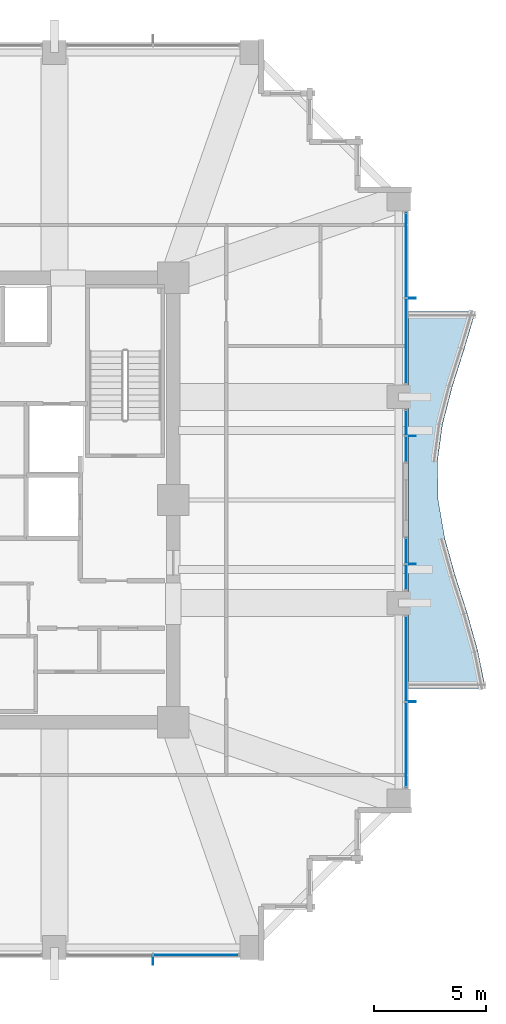
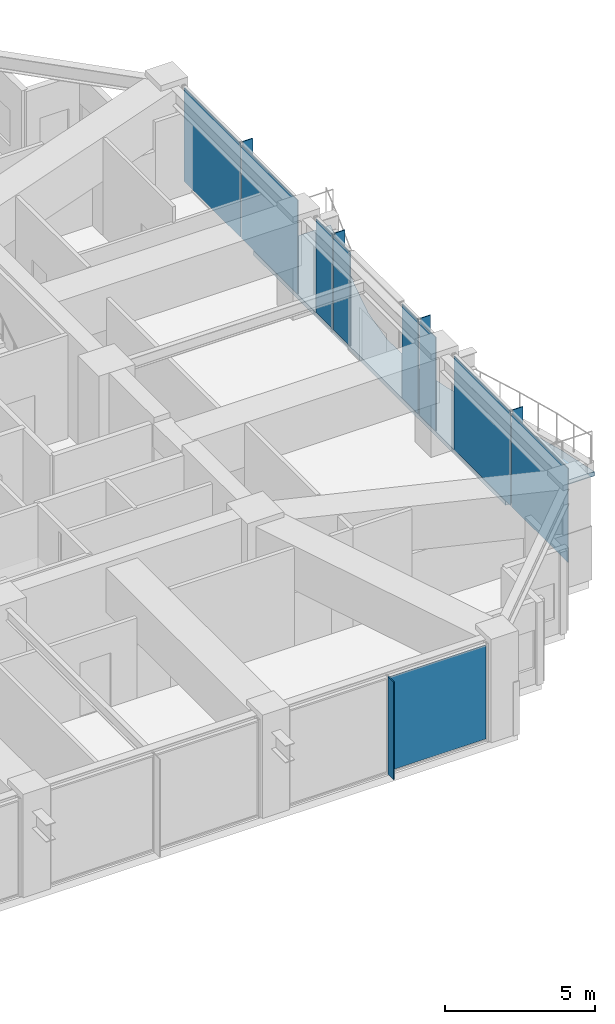
# One storey, part 31 of 40: 14 plates, 1 slab, 5 elements without a shape of their own.
"""IFC4 building model written with IfcOpenShell, lengths in metres."""

from ifc_helpers import new_model, si_unit, direction, frame, origin, origin_2d, place, context, subcontext, project, spatial, polyline, rectangle, outline, extrude, material, layer, layer_set, type_object, element, aggregate, save


model = new_model("IFC4")

# Units and contexts
model_context = context("Model", 3, precision=1e-05, world=origin(), true_north=direction((0.0, 1.0)))
body_context = subcontext(model_context, "Body", "Model", "MODEL_VIEW")
ifc_project = project(units=[si_unit("LENGTHUNIT", "METRE"), si_unit("AREAUNIT", "SQUARE_METRE"), si_unit("VOLUMEUNIT", "CUBIC_METRE"), si_unit("PLANEANGLEUNIT", "RADIAN"), si_unit("MASSUNIT", "GRAM", prefix="KILO")], contexts=[model_context])

# Site, building, storey
site_placement = place(None, origin())
site = spatial("IfcSite", under=ifc_project, at=site_placement, CompositionType="ELEMENT")
building_placement = place(site_placement, origin())
building = spatial("IfcBuilding", under=site, at=building_placement, Name="Kolvaren Belvedere", CompositionType="ELEMENT")
storey_placement = place(building_placement, frame((0.0, 0.0, 68.0)))
storey = spatial("IfcBuildingStorey", under=building, at=storey_placement, Name="L19", CompositionType="ELEMENT", Elevation=68.0)

# Curtain wall, plate
ifc_material_1 = material(Name="Anodised pale-metal aluminium AA 6063-T6", Category="aluminium")
curtain_wall_type = type_object("IfcCurtainWallType", Name="CW-Z2-MID", PredefinedType="NOTDEFINED", material=ifc_material_1)
curtain_wall_1_placement = place(storey_placement, origin())
curtain_wall_1 = element("IfcCurtainWall", 1, at=curtain_wall_1_placement, inside=storey, type_object=curtain_wall_type, Name="L19 Unitised Curtain Wall FCW-L19-S-B1", PredefinedType="NOTDEFINED")
ifc_material_2 = material(Name="Low-iron triple insulated glass", Category="glass")
ifc_layer_1 = layer(ifc_material_2, 0.028076171875)
ifc_layer_set_1 = layer_set([ifc_layer_1], Name="Low-iron triple insulated glass")
plate_type_1 = type_object("IfcPlateType", Name="CW-PNL-VIS28", PredefinedType="CURTAIN_PANEL", material=ifc_layer_set_1)
plate_1_placement = place(storey_placement, frame((10.9111328125, -20.280029296875, 0.080078125), z_axis=(0.0, 0.0, 1.0), x_axis=(-1.0, 0.0, 0.0)))
plate_1 = element("IfcPlate", 2, at=plate_1_placement, type_object=plate_type_1, Name="FCW-L19-S-B1 Vision Glazing Panel 1", PredefinedType="CURTAIN_PANEL", context=body_context, shape_type="SweptSolid", body=[
    extrude(rectangle(XDim=3.742431640625, YDim=0.028076171875, at=origin_2d()), origin(), (0.0, 0.0, 1.0), 3.820068359375),
])
aggregate(curtain_wall_1, [plate_1])

# Curtain wall, plates
curtain_wall_2_placement = place(storey_placement, origin())
curtain_wall_2 = element("IfcCurtainWall", 3, at=curtain_wall_2_placement, inside=storey, type_object=curtain_wall_type, Name="L19 Unitised Curtain Wall FCW-L19-E1-B1", PredefinedType="NOTDEFINED")
plate_2_placement = place(storey_placement, frame((20.280029296875, 10.9111328125, 0.080078125), z_axis=(0.0, 0.0, 1.0), x_axis=(0.0, -1.0, 0.0)))
plate_2 = element("IfcPlate", 4, at=plate_2_placement, type_object=plate_type_1, Name="FCW-L19-E1-B1 Vision Glazing Panel 1", PredefinedType="CURTAIN_PANEL", context=body_context, shape_type="SweptSolid", body=[
    extrude(rectangle(XDim=3.742431640625, YDim=0.028076171875, at=origin_2d()), origin(), (0.0, 0.0, 1.0), 3.820068359375),
])
plate_3_placement = place(storey_placement, frame((20.280029296875, 7.0888671875, 0.080078125), z_axis=(0.0, 0.0, 1.0), x_axis=(0.0, -1.0, 0.0)))
plate_3 = element("IfcPlate", 5, at=plate_3_placement, type_object=plate_type_1, Name="FCW-L19-E1-B1 Vision Glazing Panel 2", PredefinedType="CURTAIN_PANEL", context=body_context, shape_type="SweptSolid", body=[
    extrude(rectangle(XDim=3.742431640625, YDim=0.028076171875, at=origin_2d()), origin(), (0.0, 0.0, 1.0), 3.820068359375),
])
aggregate(curtain_wall_2, [plate_2, plate_3])

curtain_wall_3_placement = place(storey_placement, origin())
curtain_wall_3 = element("IfcCurtainWall", 6, at=curtain_wall_3_placement, inside=storey, type_object=curtain_wall_type, Name="L19 Unitised Curtain Wall FCW-L19-E1-B2", PredefinedType="NOTDEFINED")
plate_4_placement = place(storey_placement, frame((20.280029296875, 3.43701171875, 0.080078125), z_axis=(0.0, 0.0, 1.0), x_axis=(0.0, -1.0, 0.0)))
plate_4 = element("IfcPlate", 7, at=plate_4_placement, type_object=plate_type_1, Name="FCW-L19-E1-B2 Vision Glazing Panel 1", PredefinedType="CURTAIN_PANEL", context=body_context, shape_type="SweptSolid", body=[
    extrude(rectangle(XDim=1.09130859375, YDim=0.028076171875, at=origin_2d()), origin(), (0.0, 0.0, 1.0), 3.820068359375),
])
plate_5_placement = place(storey_placement, frame((20.280029296875, 2.265625, 0.080078125), z_axis=(0.0, 0.0, 1.0), x_axis=(0.0, -1.0, 0.0)))
plate_5 = element("IfcPlate", 8, at=plate_5_placement, type_object=plate_type_1, Name="FCW-L19-E1-B2 Vision Glazing Panel 2", PredefinedType="CURTAIN_PANEL", context=body_context, shape_type="SweptSolid", body=[
    extrude(rectangle(XDim=1.09130859375, YDim=0.028076171875, at=origin_2d()), origin(), (0.0, 0.0, 1.0), 3.820068359375),
])
aggregate(curtain_wall_3, [plate_4, plate_5])

curtain_wall_4_placement = place(storey_placement, origin())
curtain_wall_4 = element("IfcCurtainWall", 9, at=curtain_wall_4_placement, inside=storey, type_object=curtain_wall_type, Name="L19 Unitised Curtain Wall FCW-L19-E2-B1", PredefinedType="NOTDEFINED")
plate_6_placement = place(storey_placement, frame((20.280029296875, -2.265625, 0.080078125), z_axis=(0.0, 0.0, 1.0), x_axis=(0.0, -1.0, 0.0)))
plate_6 = element("IfcPlate", 10, at=plate_6_placement, type_object=plate_type_1, Name="FCW-L19-E2-B1 Vision Glazing Panel 1", PredefinedType="CURTAIN_PANEL", context=body_context, shape_type="SweptSolid", body=[
    extrude(rectangle(XDim=1.09130859375, YDim=0.028076171875, at=origin_2d()), origin(), (0.0, 0.0, 1.0), 3.820068359375),
])
plate_7_placement = place(storey_placement, frame((20.280029296875, -3.43701171875, 0.080078125), z_axis=(0.0, 0.0, 1.0), x_axis=(0.0, -1.0, 0.0)))
plate_7 = element("IfcPlate", 11, at=plate_7_placement, type_object=plate_type_1, Name="FCW-L19-E2-B1 Vision Glazing Panel 2", PredefinedType="CURTAIN_PANEL", context=body_context, shape_type="SweptSolid", body=[
    extrude(rectangle(XDim=1.09130859375, YDim=0.028076171875, at=origin_2d()), origin(), (0.0, 0.0, 1.0), 3.820068359375),
])
aggregate(curtain_wall_4, [plate_6, plate_7])

curtain_wall_5_placement = place(storey_placement, origin())
curtain_wall_5 = element("IfcCurtainWall", 12, at=curtain_wall_5_placement, inside=storey, type_object=curtain_wall_type, Name="L19 Unitised Curtain Wall FCW-L19-E2-B2", PredefinedType="NOTDEFINED")
plate_8_placement = place(storey_placement, frame((20.280029296875, -7.0888671875, 0.080078125), z_axis=(0.0, 0.0, 1.0), x_axis=(0.0, -1.0, 0.0)))
plate_8 = element("IfcPlate", 13, at=plate_8_placement, type_object=plate_type_1, Name="FCW-L19-E2-B2 Vision Glazing Panel 1", PredefinedType="CURTAIN_PANEL", context=body_context, shape_type="SweptSolid", body=[
    extrude(rectangle(XDim=3.742431640625, YDim=0.028076171875, at=origin_2d()), origin(), (0.0, 0.0, 1.0), 3.820068359375),
])
plate_9_placement = place(storey_placement, frame((20.280029296875, -10.9111328125, 0.080078125), z_axis=(0.0, 0.0, 1.0), x_axis=(0.0, -1.0, 0.0)))
plate_9 = element("IfcPlate", 14, at=plate_9_placement, type_object=plate_type_1, Name="FCW-L19-E2-B2 Vision Glazing Panel 2", PredefinedType="CURTAIN_PANEL", context=body_context, shape_type="SweptSolid", body=[
    extrude(rectangle(XDim=3.742431640625, YDim=0.028076171875, at=origin_2d()), origin(), (0.0, 0.0, 1.0), 3.820068359375),
])
aggregate(curtain_wall_5, [plate_8, plate_9])

# Plates
ifc_material_3 = material(Name="Anodised pale-metal aluminium AA 6063-T6", Category="aluminium")
ifc_layer_2 = layer(ifc_material_3, 0.033935546875)
ifc_layer_set_2 = layer_set([ifc_layer_2], Name="Anodised pale-metal aluminium AA 6063-T6")
plate_type_2 = type_object("IfcPlateType", Name="FIN-VERT-380", PredefinedType="USERDEFINED", material=ifc_layer_set_2)
for number, where, z_axis, x_axis, name in (
    (15, (9.0, -20.52490234375, 0.0), (0.0, 0.0, 1.0), (0.0, 1.0, 0.0), "L19 Pale-Metal Vertical Shading Fin FCW-L19-S-B1-1"),
    (16, (20.52490234375, 9.0, 0.0), (0.0, 0.0, 1.0), (1.0, 0.0, 0.0), "L19 Pale-Metal Vertical Shading Fin FCW-L19-E1-B1-1"),
    (17, (20.52490234375, 2.851318359375, 0.0), (0.0, 0.0, 1.0), (1.0, 0.0, 0.0), "L19 Pale-Metal Vertical Shading Fin FCW-L19-E1-B2-1"),
    (18, (20.52490234375, -2.851318359375, 0.0), (0.0, 0.0, 1.0), (1.0, 0.0, 0.0), "L19 Pale-Metal Vertical Shading Fin FCW-L19-E2-B1-1"),
    (19, (20.52490234375, -9.0, 0.0), (0.0, 0.0, 1.0), (1.0, 0.0, 0.0), "L19 Pale-Metal Vertical Shading Fin FCW-L19-E2-B2-1"),
):
    element("IfcPlate", number, at=place(storey_placement, frame(where, z_axis=z_axis, x_axis=x_axis)), inside=storey, type_object=plate_type_2, Name=name, ObjectType="VERTICAL FIN", PredefinedType="USERDEFINED", context=body_context, shape_type="SweptSolid", body=[
        extrude(rectangle(XDim=0.3798828125, YDim=0.033935546875, at=origin_2d()), origin(), (0.0, 0.0, 1.0), 3.97998046875),
    ])

# Slab
ifc_material_4 = material(Name="Concrete C50/60", Category="concrete")
ifc_layer_3 = layer(ifc_material_4, 0.179931640625)
ifc_layer_set_3 = layer_set([ifc_layer_3], Name="Concrete C50/60")
slab_type = type_object("IfcSlabType", Name="SL-BAL-180", PredefinedType="FLOOR", material=ifc_layer_set_3)
slab_placement = place(storey_placement, frame((0.0, 0.0, -0.300048828125)))
element("IfcSlab", 20, at=slab_placement, inside=storey, type_object=slab_type, Name="L19 Planted Balcony BAL-E", PredefinedType="FLOOR", context=body_context, shape_type="SweptSolid", body=[
    extrude(outline(polyline([(23.820068359375, -8.39990234375), (23.479248046875, -6.719970703125), (23.008544921875, -5.0400390625), (22.471435546875, -3.360107421875), (22.000732421875, -1.679931640625), (21.712890625, 0.0), (21.67919921875, 1.679931640625), (21.90771484375, 3.360107421875), (22.34228515625, 5.0400390625), (22.87548828125, 6.719970703125), (23.374755859375, 8.39990234375), (20.39990234375, 8.39990234375), (20.39990234375, 6.719970703125), (20.39990234375, 5.0400390625), (20.39990234375, 3.360107421875), (20.39990234375, 1.679931640625), (20.39990234375, 0.0), (20.39990234375, -1.679931640625), (20.39990234375, -3.360107421875), (20.39990234375, -5.0400390625), (20.39990234375, -6.719970703125), (20.39990234375, -8.39990234375), (23.820068359375, -8.39990234375)])), origin(), (0.0, 0.0, 1.0), 0.179931640625),
])

save(model, "model.ifc")
